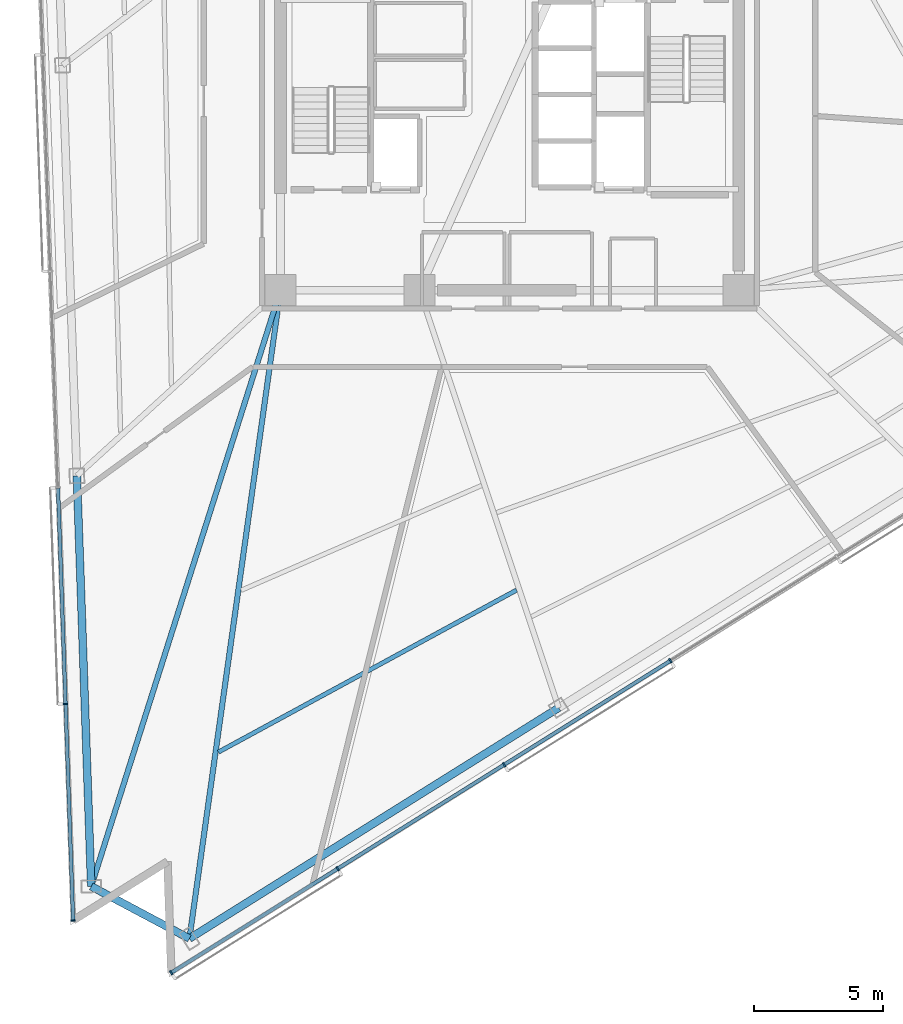
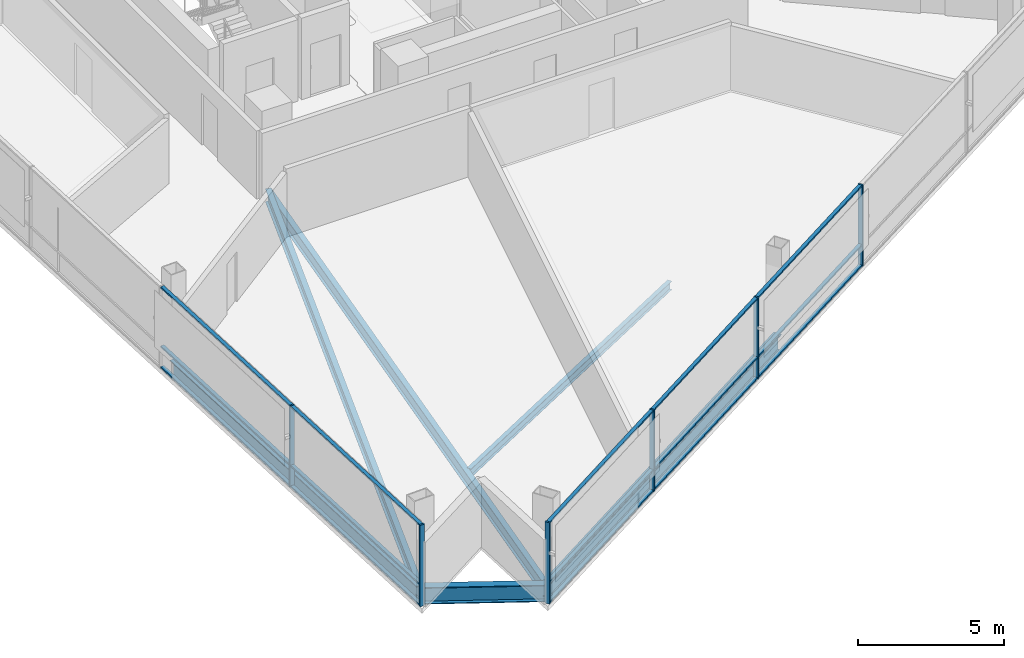
# One storey, part 2 of 21: 21 members, 6 beams, 2 elements without a shape of their own.
"""IFC4 building model written with IfcOpenShell, lengths in metres."""

from ifc_helpers import new_model, si_unit, direction, frame, origin, origin_2d, place, context, subcontext, project, spatial, rectangle, i_section, extrude, material, layer, layer_set, material_profile, profile_set, type_object, element, aggregate, save


model = new_model("IFC4")

# Units and contexts
model_context = context("Model", 3, precision=1e-05, world=origin(), true_north=direction((0.0, 1.0)))
body_context = subcontext(model_context, "Body", "Model", "MODEL_VIEW")
ifc_project = project(units=[si_unit("LENGTHUNIT", "METRE"), si_unit("AREAUNIT", "SQUARE_METRE"), si_unit("VOLUMEUNIT", "CUBIC_METRE"), si_unit("PLANEANGLEUNIT", "RADIAN"), si_unit("MASSUNIT", "GRAM", prefix="KILO")], contexts=[model_context])

# Site, building, storey
site_placement = place(None, origin())
site = spatial("IfcSite", under=ifc_project, at=site_placement, CompositionType="ELEMENT")
building_placement = place(site_placement, origin())
building = spatial("IfcBuilding", under=site, at=building_placement, Name="Tharavind Bronze Gate", CompositionType="ELEMENT")
storey_placement = place(building_placement, frame((0.0, 0.0, 156.800048828125)))
storey = spatial("IfcBuildingStorey", under=building, at=storey_placement, Name="L40", CompositionType="ELEMENT", Elevation=156.800048828125)

# Curtain wall, members
ifc_material_1 = material(Name="Anodised Bronze Aluminium", Category="aluminium")
ifc_layer = layer(ifc_material_1, 0.219970703125)
ifc_layer_set = layer_set([ifc_layer], Name="Anodised Bronze Aluminium")
curtain_wall_type = type_object("IfcCurtainWallType", Name="UNITISED CURTAIN WALL MID OFFICE", PredefinedType="USERDEFINED", material=ifc_layer_set)
curtain_wall_1_placement = place(storey_placement, origin())
curtain_wall_1 = element("IfcCurtainWall", 1, at=curtain_wall_1_placement, inside=storey, type_object=curtain_wall_type, Name="L40 unitised curtain wall mid office CW-L40-S1", ObjectType="UNITISED CURTAIN WALL", PredefinedType="USERDEFINED")
member_type_1 = type_object("IfcMemberType", Name="CURTAIN WALL BRONZE MULLION 65X180", PredefinedType="MULLION", material=ifc_material_1)
member_1_placement = place(storey_placement, frame((-17.25146484375, -23.6826171875, 0.0), z_axis=(0.0, 0.0, 1.0), x_axis=(0.034899496703, -0.999390827019, 0.0)))
member_1 = element("IfcMember", 2, at=member_1_placement, type_object=member_type_1, Name="CW-L40-S1 mullion 6", PredefinedType="MULLION", context=body_context, shape_type="SweptSolid", body=[
    extrude(rectangle(XDim=0.06494140625, YDim=0.179931640625, at=origin_2d()), origin(), (0.0, 0.0, 1.0), 3.409912109375),
])
member_2_placement = place(storey_placement, frame((-16.957763671875, -32.092041015625, 0.0), z_axis=(0.0, 0.0, 1.0), x_axis=(0.034899496703, -0.999390827019, 0.0)))
member_2 = element("IfcMember", 3, at=member_2_placement, type_object=member_type_1, Name="CW-L40-S1 mullion 7", PredefinedType="MULLION", context=body_context, shape_type="SweptSolid", body=[
    extrude(rectangle(XDim=0.06494140625, YDim=0.179931640625, at=origin_2d()), origin(), (0.0, 0.0, 1.0), 3.409912109375),
])

curtain_wall_2_placement = place(storey_placement, origin())
curtain_wall_2 = element("IfcCurtainWall", 4, at=curtain_wall_2_placement, inside=storey, type_object=curtain_wall_type, Name="L40 unitised curtain wall mid office CW-L40-S2", ObjectType="UNITISED CURTAIN WALL", PredefinedType="USERDEFINED")
member_3_placement = place(storey_placement, frame((-13.1435546875, -34.120361328125, 0.0), z_axis=(0.0, 0.0, 1.0), x_axis=(0.848048096156, 0.529919264233, 0.0)))
member_3 = element("IfcMember", 5, at=member_3_placement, type_object=member_type_1, Name="CW-L40-S2 mullion 1", PredefinedType="MULLION", context=body_context, shape_type="SweptSolid", body=[
    extrude(rectangle(XDim=0.06494140625, YDim=0.179931640625, at=origin_2d()), origin(), (0.0, 0.0, 1.0), 3.409912109375),
])
member_4_placement = place(storey_placement, frame((-6.677978515625, -30.080078125, 0.0), z_axis=(0.0, 0.0, 1.0), x_axis=(0.848048096156, 0.529919264233, 0.0)))
member_4 = element("IfcMember", 6, at=member_4_placement, type_object=member_type_1, Name="CW-L40-S2 mullion 2", PredefinedType="MULLION", context=body_context, shape_type="SweptSolid", body=[
    extrude(rectangle(XDim=0.06494140625, YDim=0.179931640625, at=origin_2d()), origin(), (0.0, 0.0, 1.0), 3.409912109375),
])
member_5_placement = place(storey_placement, frame((-0.212646484375, -26.040283203125, 0.0), z_axis=(0.0, 0.0, 1.0), x_axis=(0.848048096156, 0.529919264233, 0.0)))
member_5 = element("IfcMember", 7, at=member_5_placement, type_object=member_type_1, Name="CW-L40-S2 mullion 3", PredefinedType="MULLION", context=body_context, shape_type="SweptSolid", body=[
    extrude(rectangle(XDim=0.06494140625, YDim=0.179931640625, at=origin_2d()), origin(), (0.0, 0.0, 1.0), 3.409912109375),
])
member_6_placement = place(storey_placement, frame((6.252685546875, -22.0, 0.0), z_axis=(0.0, 0.0, 1.0), x_axis=(0.848048096156, 0.529919264233, 0.0)))
member_6 = element("IfcMember", 8, at=member_6_placement, type_object=member_type_1, Name="CW-L40-S2 mullion 4", PredefinedType="MULLION", context=body_context, shape_type="SweptSolid", body=[
    extrude(rectangle(XDim=0.06494140625, YDim=0.179931640625, at=origin_2d()), origin(), (0.0, 0.0, 1.0), 3.409912109375),
])

# Member
member_type_2 = type_object("IfcMemberType", Name="CURTAIN WALL BRONZE TRANSOM 65X140", PredefinedType="USERDEFINED", material=ifc_material_1)
member_7_placement = place(storey_placement, frame((-17.398193359375, -19.477783203125, 0.0), z_axis=(0.0, 0.0, 1.0), x_axis=(0.034899496703, -0.999390827019, 0.0)))
member_7 = element("IfcMember", 9, at=member_7_placement, type_object=member_type_2, Name="CW-L40-S1 transom TB5", ObjectType="TRANSOM", PredefinedType="USERDEFINED", context=body_context, shape_type="SweptSolid", body=[
    extrude(rectangle(XDim=8.361572265625, YDim=0.139892578125, at=origin_2d()), origin(), (0.0, 0.0, 1.0), 0.06494140625),
])

member_8_placement = place(storey_placement, frame((-17.398193359375, -19.477783203125, 0.867431640625), z_axis=(0.0, 0.0, 1.0), x_axis=(0.034899496703, -0.999390827019, 0.0)))
member_8 = element("IfcMember", 10, at=member_8_placement, type_object=member_type_2, Name="CW-L40-S1 transom TS5", ObjectType="TRANSOM", PredefinedType="USERDEFINED", context=body_context, shape_type="SweptSolid", body=[
    extrude(rectangle(XDim=8.361572265625, YDim=0.139892578125, at=origin_2d()), origin(), (0.0, 0.0, 1.0), 0.06494140625),
])

member_9_placement = place(storey_placement, frame((-17.398193359375, -19.477783203125, 3.344970703125), z_axis=(0.0, 0.0, 1.0), x_axis=(0.034899496703, -0.999390827019, 0.0)))
member_9 = element("IfcMember", 11, at=member_9_placement, type_object=member_type_2, Name="CW-L40-S1 transom TT5", ObjectType="TRANSOM", PredefinedType="USERDEFINED", context=body_context, shape_type="SweptSolid", body=[
    extrude(rectangle(XDim=8.361572265625, YDim=0.139892578125, at=origin_2d()), origin(), (0.0, 0.0, 1.0), 0.06494140625),
])

member_10_placement = place(storey_placement, frame((-17.1044921875, -27.887451171875, 0.0), z_axis=(0.0, 0.0, 1.0), x_axis=(0.034899496703, -0.999390827019, 0.0)))
member_10 = element("IfcMember", 12, at=member_10_placement, type_object=member_type_2, Name="CW-L40-S1 transom TB6", ObjectType="TRANSOM", PredefinedType="USERDEFINED", context=body_context, shape_type="SweptSolid", body=[
    extrude(rectangle(XDim=8.361572265625, YDim=0.139892578125, at=origin_2d()), origin(), (0.0, 0.0, 1.0), 0.06494140625),
])

member_11_placement = place(storey_placement, frame((-17.1044921875, -27.887451171875, 0.867431640625), z_axis=(0.0, 0.0, 1.0), x_axis=(0.034899496703, -0.999390827019, 0.0)))
member_11 = element("IfcMember", 13, at=member_11_placement, type_object=member_type_2, Name="CW-L40-S1 transom TS6", ObjectType="TRANSOM", PredefinedType="USERDEFINED", context=body_context, shape_type="SweptSolid", body=[
    extrude(rectangle(XDim=8.361572265625, YDim=0.139892578125, at=origin_2d()), origin(), (0.0, 0.0, 1.0), 0.06494140625),
])

member_12_placement = place(storey_placement, frame((-17.1044921875, -27.887451171875, 3.344970703125), z_axis=(0.0, 0.0, 1.0), x_axis=(0.034899496703, -0.999390827019, 0.0)))
member_12 = element("IfcMember", 14, at=member_12_placement, type_object=member_type_2, Name="CW-L40-S1 transom TT6", ObjectType="TRANSOM", PredefinedType="USERDEFINED", context=body_context, shape_type="SweptSolid", body=[
    extrude(rectangle(XDim=8.361572265625, YDim=0.139892578125, at=origin_2d()), origin(), (0.0, 0.0, 1.0), 0.06494140625),
])

aggregate(curtain_wall_1, [member_1, member_2, member_7, member_8, member_9, member_10, member_11, member_12])

member_13_placement = place(storey_placement, frame((-9.910888671875, -32.100341796875, 0.0), z_axis=(0.0, 0.0, 1.0), x_axis=(0.848048096156, 0.529919264233, 0.0)))
member_13 = element("IfcMember", 15, at=member_13_placement, type_object=member_type_2, Name="CW-L40-S2 transom TB1", ObjectType="TRANSOM", PredefinedType="USERDEFINED", context=body_context, shape_type="SweptSolid", body=[
    extrude(rectangle(XDim=7.57080078125, YDim=0.139892578125, at=origin_2d()), origin(), (0.0, 0.0, 1.0), 0.06494140625),
])

member_14_placement = place(storey_placement, frame((-9.910888671875, -32.100341796875, 0.867431640625), z_axis=(0.0, 0.0, 1.0), x_axis=(0.848048096156, 0.529919264233, 0.0)))
member_14 = element("IfcMember", 16, at=member_14_placement, type_object=member_type_2, Name="CW-L40-S2 transom TS1", ObjectType="TRANSOM", PredefinedType="USERDEFINED", context=body_context, shape_type="SweptSolid", body=[
    extrude(rectangle(XDim=7.57080078125, YDim=0.139892578125, at=origin_2d()), origin(), (0.0, 0.0, 1.0), 0.06494140625),
])

member_15_placement = place(storey_placement, frame((-9.910888671875, -32.100341796875, 3.344970703125), z_axis=(0.0, 0.0, 1.0), x_axis=(0.848048096156, 0.529919264233, 0.0)))
member_15 = element("IfcMember", 17, at=member_15_placement, type_object=member_type_2, Name="CW-L40-S2 transom TT1", ObjectType="TRANSOM", PredefinedType="USERDEFINED", context=body_context, shape_type="SweptSolid", body=[
    extrude(rectangle(XDim=7.57080078125, YDim=0.139892578125, at=origin_2d()), origin(), (0.0, 0.0, 1.0), 0.06494140625),
])

member_16_placement = place(storey_placement, frame((-3.4453125, -28.060302734375, 0.0), z_axis=(0.0, 0.0, 1.0), x_axis=(0.848048096156, 0.529919264233, 0.0)))
member_16 = element("IfcMember", 18, at=member_16_placement, type_object=member_type_2, Name="CW-L40-S2 transom TB2", ObjectType="TRANSOM", PredefinedType="USERDEFINED", context=body_context, shape_type="SweptSolid", body=[
    extrude(rectangle(XDim=7.57080078125, YDim=0.139892578125, at=origin_2d()), origin(), (0.0, 0.0, 1.0), 0.06494140625),
])

member_17_placement = place(storey_placement, frame((-3.4453125, -28.060302734375, 0.867431640625), z_axis=(0.0, 0.0, 1.0), x_axis=(0.848048096156, 0.529919264233, 0.0)))
member_17 = element("IfcMember", 19, at=member_17_placement, type_object=member_type_2, Name="CW-L40-S2 transom TS2", ObjectType="TRANSOM", PredefinedType="USERDEFINED", context=body_context, shape_type="SweptSolid", body=[
    extrude(rectangle(XDim=7.57080078125, YDim=0.139892578125, at=origin_2d()), origin(), (0.0, 0.0, 1.0), 0.06494140625),
])

member_18_placement = place(storey_placement, frame((-3.4453125, -28.060302734375, 3.344970703125), z_axis=(0.0, 0.0, 1.0), x_axis=(0.848048096156, 0.529919264233, 0.0)))
member_18 = element("IfcMember", 20, at=member_18_placement, type_object=member_type_2, Name="CW-L40-S2 transom TT2", ObjectType="TRANSOM", PredefinedType="USERDEFINED", context=body_context, shape_type="SweptSolid", body=[
    extrude(rectangle(XDim=7.57080078125, YDim=0.139892578125, at=origin_2d()), origin(), (0.0, 0.0, 1.0), 0.06494140625),
])

member_19_placement = place(storey_placement, frame((3.02001953125, -24.020263671875, 0.0), z_axis=(0.0, 0.0, 1.0), x_axis=(0.848048096156, 0.529919264233, 0.0)))
member_19 = element("IfcMember", 21, at=member_19_placement, type_object=member_type_2, Name="CW-L40-S2 transom TB3", ObjectType="TRANSOM", PredefinedType="USERDEFINED", context=body_context, shape_type="SweptSolid", body=[
    extrude(rectangle(XDim=7.57080078125, YDim=0.139892578125, at=origin_2d()), origin(), (0.0, 0.0, 1.0), 0.06494140625),
])

member_20_placement = place(storey_placement, frame((3.02001953125, -24.020263671875, 0.867431640625), z_axis=(0.0, 0.0, 1.0), x_axis=(0.848048096156, 0.529919264233, 0.0)))
member_20 = element("IfcMember", 22, at=member_20_placement, type_object=member_type_2, Name="CW-L40-S2 transom TS3", ObjectType="TRANSOM", PredefinedType="USERDEFINED", context=body_context, shape_type="SweptSolid", body=[
    extrude(rectangle(XDim=7.57080078125, YDim=0.139892578125, at=origin_2d()), origin(), (0.0, 0.0, 1.0), 0.06494140625),
])

member_21_placement = place(storey_placement, frame((3.02001953125, -24.020263671875, 3.344970703125), z_axis=(0.0, 0.0, 1.0), x_axis=(0.848048096156, 0.529919264233, 0.0)))
member_21 = element("IfcMember", 23, at=member_21_placement, type_object=member_type_2, Name="CW-L40-S2 transom TT3", ObjectType="TRANSOM", PredefinedType="USERDEFINED", context=body_context, shape_type="SweptSolid", body=[
    extrude(rectangle(XDim=7.57080078125, YDim=0.139892578125, at=origin_2d()), origin(), (0.0, 0.0, 1.0), 0.06494140625),
])

aggregate(curtain_wall_2, [member_3, member_4, member_5, member_6, member_13, member_14, member_15, member_16, member_17, member_18, member_19, member_20, member_21])

# Beams
ifc_material_2 = material(Name="Steel S355", Category="steel")
ifc_material_profile_1 = material_profile(ifc_material_2, i_section(OverallWidth=0.2099609375, OverallDepth=0.550048828125, WebThickness=0.010986328125, FlangeThickness=0.01708984375, at=origin_2d()), Name="IPE550")
ifc_profile_set_1 = profile_set([ifc_material_profile_1], Name="Steel S355")
beam_type_1 = type_object("IfcBeamType", Name="PRIMARY GIRDER IPE550", PredefinedType="USERDEFINED", material=ifc_profile_set_1)
beam_1_placement = place(storey_placement, frame((-16.253662109375, -30.767578125, -0.465087890625), z_axis=(0.302541909504, 0.953136083146, 0.0), x_axis=(-0.953136083146, 0.302541909504, 0.0)))
element("IfcBeam", 24, at=beam_1_placement, inside=storey, type_object=beam_type_1, Name="L40 primary girder ipe550 BM-L40-RAD04", ObjectType="GIRDER", PredefinedType="USERDEFINED", context=body_context, shape_type="SweptSolid", body=[
    extrude(i_section(OverallWidth=0.2099609375, OverallDepth=0.550048828125, WebThickness=0.010986328125, FlangeThickness=0.01708984375, at=origin_2d()), origin(), (0.0, 0.0, 1.0), 24.306640625),
])
beam_2_placement = place(storey_placement, frame((-12.439208984375, -32.7958984375, -0.465087890625), z_axis=(0.139106336947, 0.990277449517, 0.0), x_axis=(-0.990277449517, 0.139106336947, 0.0)))
element("IfcBeam", 25, at=beam_2_placement, inside=storey, type_object=beam_type_1, Name="L40 primary girder ipe550 BM-L40-RAD05", ObjectType="GIRDER", PredefinedType="USERDEFINED", context=body_context, shape_type="SweptSolid", body=[
    extrude(i_section(OverallWidth=0.2099609375, OverallDepth=0.550048828125, WebThickness=0.010986328125, FlangeThickness=0.01708984375, at=origin_2d()), origin(), (0.0, 0.0, 1.0), 25.443115234375),
])
ifc_material_profile_2 = material_profile(ifc_material_2, i_section(OverallWidth=0.300048828125, OverallDepth=0.699951171875, WebThickness=0.01708984375, FlangeThickness=0.031982421875, at=origin_2d()), Name="HE700B")
ifc_profile_set_2 = profile_set([ifc_material_profile_2], Name="Steel S355")
beam_type_2 = type_object("IfcBeamType", Name="RING GIRDER HE700B", PredefinedType="USERDEFINED", material=ifc_profile_set_2)
beam_3_placement = place(storey_placement, frame((-16.810791015625, -14.814208984375, -0.5400390625), z_axis=(0.034901059648, -0.999390772439, 0.0), x_axis=(0.999390772439, 0.034901059648, 0.0)))
element("IfcBeam", 26, at=beam_3_placement, inside=storey, type_object=beam_type_2, Name="L40 ring girder he700b BM-L40-PRG03", ObjectType="GIRDER", PredefinedType="USERDEFINED", context=body_context, shape_type="SweptSolid", body=[
    extrude(i_section(OverallWidth=0.300048828125, OverallDepth=0.699951171875, WebThickness=0.01708984375, FlangeThickness=0.031982421875, at=origin_2d()), origin(), (0.0, 0.0, 1.0), 15.963134765625),
])
beam_4_placement = place(storey_placement, frame((-16.253662109375, -30.767578125, -0.5400390625), z_axis=(0.882934197132, -0.469496755618, 0.0), x_axis=(0.469496755618, 0.882934197132, 0.0)))
element("IfcBeam", 27, at=beam_4_placement, inside=storey, type_object=beam_type_2, Name="L40 ring girder he700b BM-L40-PRG04", ObjectType="GIRDER", PredefinedType="USERDEFINED", context=body_context, shape_type="SweptSolid", body=[
    extrude(i_section(OverallWidth=0.300048828125, OverallDepth=0.699951171875, WebThickness=0.01708984375, FlangeThickness=0.031982421875, at=origin_2d()), origin(), (0.0, 0.0, 1.0), 4.3203125),
])
beam_5_placement = place(storey_placement, frame((-12.439208984375, -32.7958984375, -0.5400390625), z_axis=(0.84804368744, 0.529926319589, 0.0), x_axis=(-0.529926319589, 0.84804368744, 0.0)))
element("IfcBeam", 28, at=beam_5_placement, inside=storey, type_object=beam_type_2, Name="L40 ring girder he700b BM-L40-PRG05", ObjectType="GIRDER", PredefinedType="USERDEFINED", context=body_context, shape_type="SweptSolid", body=[
    extrude(i_section(OverallWidth=0.300048828125, OverallDepth=0.699951171875, WebThickness=0.01708984375, FlangeThickness=0.031982421875, at=origin_2d()), origin(), (0.0, 0.0, 1.0), 16.923095703125),
])
ifc_material_profile_3 = material_profile(ifc_material_2, i_section(OverallWidth=0.169921875, OverallDepth=0.360107421875, WebThickness=0.008056640625, FlangeThickness=0.0126953125, at=origin_2d()), Name="IPE360")
ifc_profile_set_3 = profile_set([ifc_material_profile_3], Name="Steel S355")
beam_type_3 = type_object("IfcBeamType", Name="SECONDARY FLOOR JOIST IPE360", PredefinedType="JOIST", material=ifc_profile_set_3)
beam_6_placement = place(storey_placement, frame((-11.312255859375, -25.55078125, -0.3701171875), z_axis=(0.878664364141, 0.477439980718, 0.0), x_axis=(-0.477439980718, 0.878664364141, 0.0)))
element("IfcBeam", 29, at=beam_6_placement, inside=storey, type_object=beam_type_3, Name="L40 secondary floor joist ipe360 BM-L40-JSTB05", PredefinedType="JOIST", context=body_context, shape_type="SweptSolid", body=[
    extrude(i_section(OverallWidth=0.169921875, OverallDepth=0.360107421875, WebThickness=0.008056640625, FlangeThickness=0.0126953125, at=origin_2d()), origin(), (0.0, 0.0, 1.0), 13.184814453125),
])

save(model, "model.ifc")
